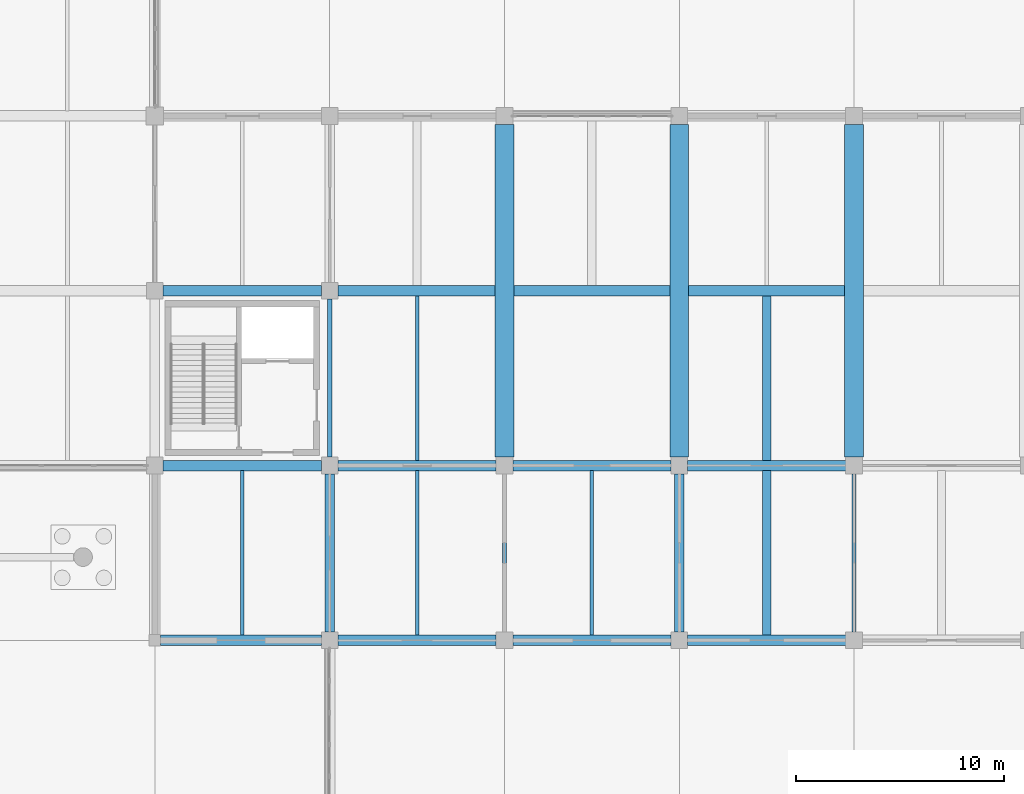
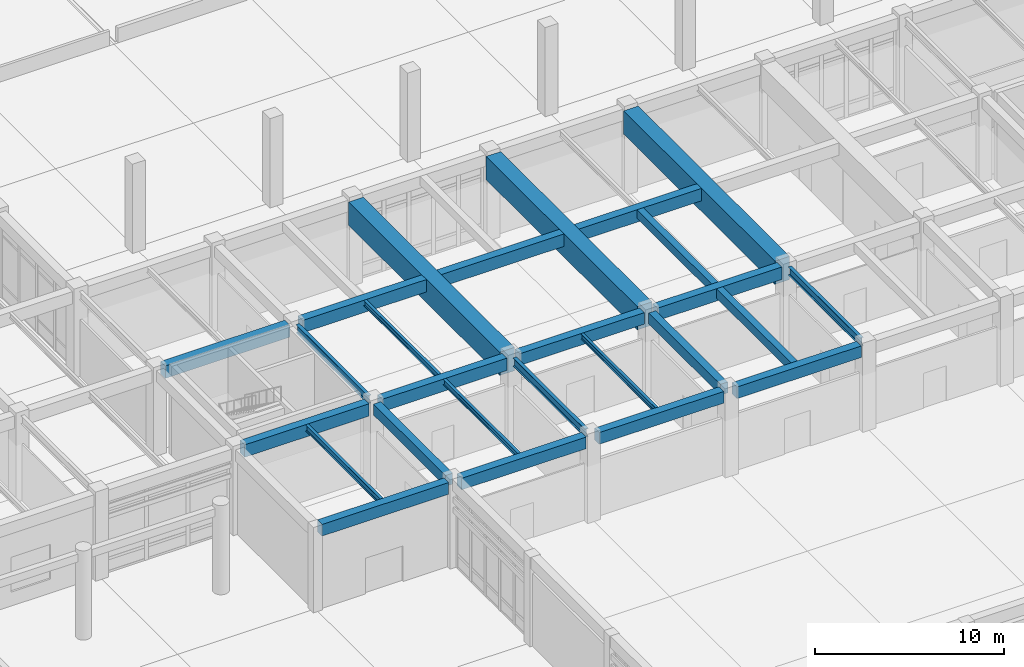
# One storey, part 12 of 91: 26 beams.
"""IFC4 building model written with IfcOpenShell, lengths in metres."""

from ifc_helpers import new_model, si_unit, direction, frame, origin, origin_2d, place, context, subcontext, project, spatial, rectangle, i_section, extrude, material, material_profile, profile_set, type_object, element, save


model = new_model("IFC4")

# Units and contexts
model_context = context("Model", 3, precision=1e-05, world=origin(), true_north=direction((0.0, 1.0)))
body_context = subcontext(model_context, "Body", "Model", "MODEL_VIEW")
ifc_project = project(units=[si_unit("LENGTHUNIT", "METRE"), si_unit("AREAUNIT", "SQUARE_METRE"), si_unit("VOLUMEUNIT", "CUBIC_METRE"), si_unit("PLANEANGLEUNIT", "RADIAN"), si_unit("MASSUNIT", "GRAM", prefix="KILO")], contexts=[model_context])

# Site, building, storey
site_placement = place(None, origin())
site = spatial("IfcSite", under=ifc_project, at=site_placement, CompositionType="ELEMENT")
building_placement = place(site_placement, origin())
building = spatial("IfcBuilding", under=site, at=building_placement, Name="Porcellanite Civic Hall", CompositionType="ELEMENT")
storey_placement = place(building_placement, origin())
storey = spatial("IfcBuildingStorey", under=building, at=storey_placement, Name="L00", CompositionType="ELEMENT", Elevation=0.0)

# Beams
ifc_material_1 = material(Name="Concrete N50 (50 MPa)", Category="concrete")
ifc_material_profile_1 = material_profile(ifc_material_1, rectangle(XDim=0.39990234375, YDim=0.550048828125, at=origin_2d()), Name="RC-400x550")
ifc_profile_set_1 = profile_set([ifc_material_profile_1], Name="Concrete N50 (50 MPa)")
beam_type_1 = type_object("IfcBeamType", Name="BM-RC550", PredefinedType="JOIST", material=ifc_profile_set_1)
beam_1_placement = place(storey_placement, frame((88.199951171875, 50.6494140625, 5.22509765625), z_axis=(0.0, 1.0, 0.0), x_axis=(-1.0, 0.0, 0.0)))
element("IfcBeam", 1, at=beam_1_placement, inside=storey, type_object=beam_type_1, Name="Secondary joist L00 11-7", PredefinedType="JOIST", context=body_context, shape_type="SweptSolid", body=[
    extrude(rectangle(XDim=0.39990234375, YDim=0.550048828125, at=origin_2d()), origin(), (0.0, 0.0, 1.0), 7.901123046875),
])
ifc_material_2 = material(Name="Concrete N50 (50 MPa)", Category="concrete")
ifc_material_profile_2 = material_profile(ifc_material_2, rectangle(XDim=0.39990234375, YDim=0.60009765625, at=origin_2d()), Name="RC-400x600")
ifc_profile_set_2 = profile_set([ifc_material_profile_2], Name="Concrete N50 (50 MPa)")
beam_type_2 = type_object("IfcBeamType", Name="BM-RC600", PredefinedType="JOIST", material=ifc_profile_set_2)
beam_2_placement = place(storey_placement, frame((88.199951171875, 42.24951171875, 5.199951171875), z_axis=(0.0, 1.0, 0.0), x_axis=(-1.0, 0.0, 0.0)))
element("IfcBeam", 2, at=beam_2_placement, inside=storey, type_object=beam_type_2, Name="Secondary joist L00 11-6", PredefinedType="JOIST", context=body_context, shape_type="SweptSolid", body=[
    extrude(rectangle(XDim=0.39990234375, YDim=0.60009765625, at=origin_2d()), origin(), (0.0, 0.0, 1.0), 7.90087890625),
])
ifc_material_3 = material(Name="Concrete N50 (50 MPa)", Category="concrete")
ifc_material_profile_3 = material_profile(ifc_material_3, rectangle(XDim=0.449951171875, YDim=0.699951171875, at=origin_2d()), Name="RC-450x700")
ifc_profile_set_3 = profile_set([ifc_material_profile_3], Name="Concrete N50 (50 MPa)")
beam_type_3 = type_object("IfcBeamType", Name="BM-RC700", PredefinedType="BEAM", material=ifc_profile_set_3)
for number, where, z_axis, x_axis, name in (
    (3, (67.199951171875, 42.3994140625, 5.14990234375), (0.0, 1.0, 0.0), (-1.0, 0.0, 0.0), "Beam Y L00 9-6"),
    (4, (84.0, 42.3994140625, 5.14990234375), (0.0, 1.0, 0.0), (-1.0, 0.0, 0.0), "Beam Y L00 11-6"),
):
    element("IfcBeam", number, at=place(storey_placement, frame(where, z_axis=z_axis, x_axis=x_axis)), inside=storey, type_object=beam_type_3, Name=name, PredefinedType="BEAM", context=body_context, shape_type="SweptSolid", body=[
        extrude(rectangle(XDim=0.449951171875, YDim=0.699951171875, at=origin_2d()), origin(), (0.0, 0.0, 1.0), 7.60107421875),
    ])
ifc_material_4 = material(Name="Concrete N50 (50 MPa)", Category="concrete")
ifc_material_profile_4 = material_profile(ifc_material_4, rectangle(XDim=0.5, YDim=0.75, at=origin_2d()), Name="RC-500x750")
ifc_profile_set_4 = profile_set([ifc_material_profile_4], Name="Concrete N50 (50 MPa)")
beam_type_4 = type_object("IfcBeamType", Name="BM-RC750", PredefinedType="SPANDREL", material=ifc_profile_set_4)
beam_3_placement = place(storey_placement, frame((59.074462890625, 42.0, 5.125), z_axis=(1.0, 0.0, 0.0), x_axis=(0.0, 1.0, 0.0)))
element("IfcBeam", 5, at=beam_3_placement, inside=storey, type_object=beam_type_4, Name="Beam X L00 8-6", PredefinedType="SPANDREL", context=body_context, shape_type="SweptSolid", body=[
    extrude(rectangle(XDim=0.5, YDim=0.75, at=origin_2d()), origin(), (0.0, 0.0, 1.0), 7.72607421875),
])
beam_4_placement = place(storey_placement, frame((67.599609375, 42.0, 5.125), z_axis=(1.0, 0.0, 0.0), x_axis=(0.0, 1.0, 0.0)))
element("IfcBeam", 6, at=beam_4_placement, inside=storey, type_object=beam_type_4, Name="Beam X L00 9-6", PredefinedType="SPANDREL", context=body_context, shape_type="SweptSolid", body=[
    extrude(rectangle(XDim=0.5, YDim=0.75, at=origin_2d()), origin(), (0.0, 0.0, 1.0), 7.600830078125),
])
for number, where, z_axis, x_axis, name in (
    (7, (75.99951171875, 42.0, 5.125), (1.0, 0.0, 0.0), (0.0, 1.0, 0.0), "Beam X L00 10-6"),
    (8, (75.99951171875, 50.39990234375, 5.125), (1.0, 0.0, 0.0), (0.0, 1.0, 0.0), "Beam X L00 10-7"),
    (9, (84.3994140625, 42.0, 5.125), (1.0, 0.0, 0.0), (0.0, 1.0, 0.0), "Beam X L00 11-6"),
):
    element("IfcBeam", number, at=place(storey_placement, frame(where, z_axis=z_axis, x_axis=x_axis)), inside=storey, type_object=beam_type_4, Name=name, PredefinedType="SPANDREL", context=body_context, shape_type="SweptSolid", body=[
        extrude(rectangle(XDim=0.5, YDim=0.75, at=origin_2d()), origin(), (0.0, 0.0, 1.0), 7.60107421875),
    ])
ifc_material_5 = material(Name="Concrete N50 (50 MPa)", Category="concrete")
ifc_material_profile_5 = material_profile(ifc_material_5, rectangle(XDim=0.5, YDim=0.800048828125, at=origin_2d()), Name="RC-500x800")
ifc_profile_set_5 = profile_set([ifc_material_profile_5], Name="Concrete N50 (50 MPa)")
beam_type_5 = type_object("IfcBeamType", Name="BM-RC800", PredefinedType="BEAM", material=ifc_profile_set_5)
beam_5_placement = place(storey_placement, frame((67.599609375, 58.800048828125, 5.10009765625), z_axis=(1.0, 0.0, 0.0), x_axis=(0.0, 1.0, 0.0)))
element("IfcBeam", 10, at=beam_5_placement, inside=storey, type_object=beam_type_5, Name="Foyer tie beam L01 8", PredefinedType="BEAM", context=body_context, shape_type="SweptSolid", body=[
    extrude(rectangle(XDim=0.5, YDim=0.800048828125, at=origin_2d()), origin(), (0.0, 0.0, 1.0), 7.55078125),
])
for number, where, z_axis, x_axis, name in (
    (11, (76.049560546875, 58.800048828125, 5.10009765625), (1.0, 0.0, 0.0), (0.0, 1.0, 0.0), "Foyer tie beam L01 9"),
    (12, (84.449462890625, 58.800048828125, 5.10009765625), (1.0, 0.0, 0.0), (0.0, 1.0, 0.0), "Foyer tie beam L01 10"),
):
    element("IfcBeam", number, at=place(storey_placement, frame(where, z_axis=z_axis, x_axis=x_axis)), inside=storey, type_object=beam_type_5, Name=name, PredefinedType="BEAM", context=body_context, shape_type="SweptSolid", body=[
        extrude(rectangle(XDim=0.5, YDim=0.800048828125, at=origin_2d()), origin(), (0.0, 0.0, 1.0), 7.5009765625),
    ])
for number, where, z_axis, x_axis, name in (
    (13, (59.199462890625, 50.39990234375, 5.10009765625), (1.0, 0.0, 0.0), (0.0, 1.0, 0.0), "Beam X L00 8-7"),
    (14, (59.199462890625, 58.800048828125, 5.10009765625), (1.0, 0.0, 0.0), (0.0, 1.0, 0.0), "Beam X L00 8-8"),
):
    element("IfcBeam", number, at=place(storey_placement, frame(where, z_axis=z_axis, x_axis=x_axis)), inside=storey, type_object=beam_type_5, Name=name, PredefinedType="BEAM", context=body_context, shape_type="SweptSolid", body=[
        extrude(rectangle(XDim=0.5, YDim=0.800048828125, at=origin_2d()), origin(), (0.0, 0.0, 1.0), 7.60107421875),
    ])
beam_6_placement = place(storey_placement, frame((67.599609375, 50.39990234375, 5.10009765625), z_axis=(1.0, 0.0, 0.0), x_axis=(0.0, 1.0, 0.0)))
element("IfcBeam", 15, at=beam_6_placement, inside=storey, type_object=beam_type_5, Name="Beam X L00 9-7", PredefinedType="BEAM", context=body_context, shape_type="SweptSolid", body=[
    extrude(rectangle(XDim=0.5, YDim=0.800048828125, at=origin_2d()), origin(), (0.0, 0.0, 1.0), 7.600830078125),
])
beam_7_placement = place(storey_placement, frame((84.3994140625, 50.39990234375, 5.10009765625), z_axis=(1.0, 0.0, 0.0), x_axis=(0.0, 1.0, 0.0)))
element("IfcBeam", 16, at=beam_7_placement, inside=storey, type_object=beam_type_5, Name="Beam X L00 11-7", PredefinedType="BEAM", context=body_context, shape_type="SweptSolid", body=[
    extrude(rectangle(XDim=0.5, YDim=0.800048828125, at=origin_2d()), origin(), (0.0, 0.0, 1.0), 7.60107421875),
])
ifc_material_6 = material(Name="Steel Grade 350", Category="steel")
ifc_material_profile_6 = material_profile(ifc_material_6, i_section(OverallWidth=0.1708984375, OverallDepth=0.35595703125, WebThickness=0.00732421875, FlangeThickness=0.011474609375, FilletRadius=0.011474609375, at=origin_2d()), Name="360UB50.7")
ifc_profile_set_6 = profile_set([ifc_material_profile_6], Name="Steel Grade 350")
beam_type_6 = type_object("IfcBeamType", Name="JST-360UB51", PredefinedType="JOIST", material=ifc_profile_set_6)
beam_8_placement = place(storey_placement, frame((71.39990234375, 50.6494140625, 5.322021484375), z_axis=(0.0, 1.0, 0.0), x_axis=(-1.0, 0.0, 0.0)))
element("IfcBeam", 17, at=beam_8_placement, inside=storey, type_object=beam_type_6, Name="Secondary joist L00 9-7", PredefinedType="JOIST", context=body_context, shape_type="SweptSolid", body=[
    extrude(i_section(OverallWidth=0.1708984375, OverallDepth=0.35595703125, WebThickness=0.00732421875, FlangeThickness=0.011474609375, FilletRadius=0.011474609375, at=origin_2d()), origin(), (0.0, 0.0, 1.0), 7.901123046875),
])
beam_9_placement = place(storey_placement, frame((79.800048828125, 42.24951171875, 5.322021484375), z_axis=(0.0, 1.0, 0.0), x_axis=(-1.0, 0.0, 0.0)))
element("IfcBeam", 18, at=beam_9_placement, inside=storey, type_object=beam_type_6, Name="Secondary joist L00 10-6", PredefinedType="JOIST", context=body_context, shape_type="SweptSolid", body=[
    extrude(i_section(OverallWidth=0.1708984375, OverallDepth=0.35595703125, WebThickness=0.00732421875, FlangeThickness=0.011474609375, FilletRadius=0.011474609375, at=origin_2d()), origin(), (0.0, 0.0, 1.0), 7.90087890625),
])
ifc_material_7 = material(Name="Steel Grade 350", Category="steel")
ifc_material_profile_7 = material_profile(ifc_material_7, i_section(OverallWidth=0.172119140625, OverallDepth=0.35888671875, WebThickness=0.008056640625, FlangeThickness=0.012939453125, FilletRadius=0.011474609375, at=origin_2d()), Name="360UB56.7")
ifc_profile_set_7 = profile_set([ifc_material_profile_7], Name="Steel Grade 350")
beam_type_7 = type_object("IfcBeamType", Name="JST-360UB57", PredefinedType="JOIST", material=ifc_profile_set_7)
beam_10_placement = place(storey_placement, frame((71.39990234375, 42.24951171875, 5.320556640625), z_axis=(0.0, 1.0, 0.0), x_axis=(-1.0, 0.0, 0.0)))
element("IfcBeam", 19, at=beam_10_placement, inside=storey, type_object=beam_type_7, Name="Secondary joist L00 9-6", PredefinedType="JOIST", context=body_context, shape_type="SweptSolid", body=[
    extrude(i_section(OverallWidth=0.172119140625, OverallDepth=0.35888671875, WebThickness=0.008056640625, FlangeThickness=0.012939453125, FilletRadius=0.011474609375, at=origin_2d()), origin(), (0.0, 0.0, 1.0), 7.90087890625),
])
ifc_material_8 = material(Name="Steel Grade 350", Category="steel")
ifc_material_profile_8 = material_profile(ifc_material_8, i_section(OverallWidth=0.177978515625, OverallDepth=0.403076171875, WebThickness=0.007568359375, FlangeThickness=0.010986328125, FilletRadius=0.011474609375, at=origin_2d()), Name="410UB53.7")
ifc_profile_set_8 = profile_set([ifc_material_profile_8], Name="Steel Grade 350")
beam_type_8 = type_object("IfcBeamType", Name="JST-410UB54", PredefinedType="JOIST", material=ifc_profile_set_8)
beam_11_placement = place(storey_placement, frame((63.0, 42.24951171875, 5.298583984375), z_axis=(0.0, 1.0, 0.0), x_axis=(-1.0, 0.0, 0.0)))
element("IfcBeam", 20, at=beam_11_placement, inside=storey, type_object=beam_type_8, Name="Secondary joist L00 8-6", PredefinedType="JOIST", context=body_context, shape_type="SweptSolid", body=[
    extrude(i_section(OverallWidth=0.177978515625, OverallDepth=0.403076171875, WebThickness=0.007568359375, FlangeThickness=0.010986328125, FilletRadius=0.011474609375, at=origin_2d()), origin(), (0.0, 0.0, 1.0), 7.90087890625),
])
ifc_material_9 = material(Name="Steel Grade 350", Category="steel")
ifc_material_profile_9 = material_profile(ifc_material_9, i_section(OverallWidth=0.208984375, OverallDepth=0.528076171875, WebThickness=0.009521484375, FlangeThickness=0.01318359375, FilletRadius=0.013916015625, at=origin_2d()), Name="530UB82.0")
ifc_profile_set_9 = profile_set([ifc_material_profile_9], Name="Steel Grade 350")
beam_type_9 = type_object("IfcBeamType", Name="RAF-530UB82", PredefinedType="BEAM", material=ifc_profile_set_9)
beam_12_placement = place(storey_placement, frame((67.199951171875, 50.799560546875, 5.236083984375), z_axis=(0.0, 1.0, 0.0), x_axis=(-1.0, 0.0, 0.0)))
element("IfcBeam", 21, at=beam_12_placement, inside=storey, type_object=beam_type_9, Name="Beam Y L00 9-7", PredefinedType="BEAM", context=body_context, shape_type="SweptSolid", body=[
    extrude(i_section(OverallWidth=0.208984375, OverallDepth=0.528076171875, WebThickness=0.009521484375, FlangeThickness=0.01318359375, FilletRadius=0.013916015625, at=origin_2d()), origin(), (0.0, 0.0, 1.0), 7.600830078125),
])
for number, where, z_axis, x_axis, name in (
    (22, (75.60009765625, 42.3994140625, 5.236083984375), (0.0, 1.0, 0.0), (-1.0, 0.0, 0.0), "Beam Y L00 10-6"),
    (23, (92.39990234375, 42.3994140625, 5.236083984375), (0.0, 1.0, 0.0), (-1.0, 0.0, 0.0), "Beam Y L00 12-6"),
):
    element("IfcBeam", number, at=place(storey_placement, frame(where, z_axis=z_axis, x_axis=x_axis)), inside=storey, type_object=beam_type_9, Name=name, PredefinedType="BEAM", context=body_context, shape_type="SweptSolid", body=[
        extrude(i_section(OverallWidth=0.208984375, OverallDepth=0.528076171875, WebThickness=0.009521484375, FlangeThickness=0.01318359375, FilletRadius=0.013916015625, at=origin_2d()), origin(), (0.0, 0.0, 1.0), 7.60107421875),
    ])
ifc_material_10 = material(Name="Concrete N50 (50 MPa)", Category="concrete")
ifc_material_profile_10 = material_profile(ifc_material_10, rectangle(XDim=0.89990234375, YDim=1.5, at=origin_2d()), Name="RC-900x1500")
ifc_profile_set_10 = profile_set([ifc_material_profile_10], Name="Concrete N50 (50 MPa)")
beam_type_10 = type_object("IfcBeamType", Name="TG-02", PredefinedType="T_BEAM", material=ifc_profile_set_10)
for number, where, z_axis, x_axis, name in (
    (24, (75.60009765625, 50.799560546875, 4.75), (0.0, 1.0, 0.0), (-1.0, 0.0, 0.0), "Foyer concourse girder L01 9"),
    (25, (84.0, 50.799560546875, 4.75), (0.0, 1.0, 0.0), (-1.0, 0.0, 0.0), "Foyer concourse girder L01 10"),
    (26, (92.39990234375, 50.799560546875, 4.75), (0.0, 1.0, 0.0), (-1.0, 0.0, 0.0), "Foyer concourse girder L01 11"),
):
    element("IfcBeam", number, at=place(storey_placement, frame(where, z_axis=z_axis, x_axis=x_axis)), inside=storey, type_object=beam_type_10, Name=name, PredefinedType="T_BEAM", context=body_context, shape_type="SweptSolid", body=[
        extrude(rectangle(XDim=0.89990234375, YDim=1.5, at=origin_2d()), origin(), (0.0, 0.0, 1.0), 16.0009765625),
    ])

save(model, "model.ifc")
